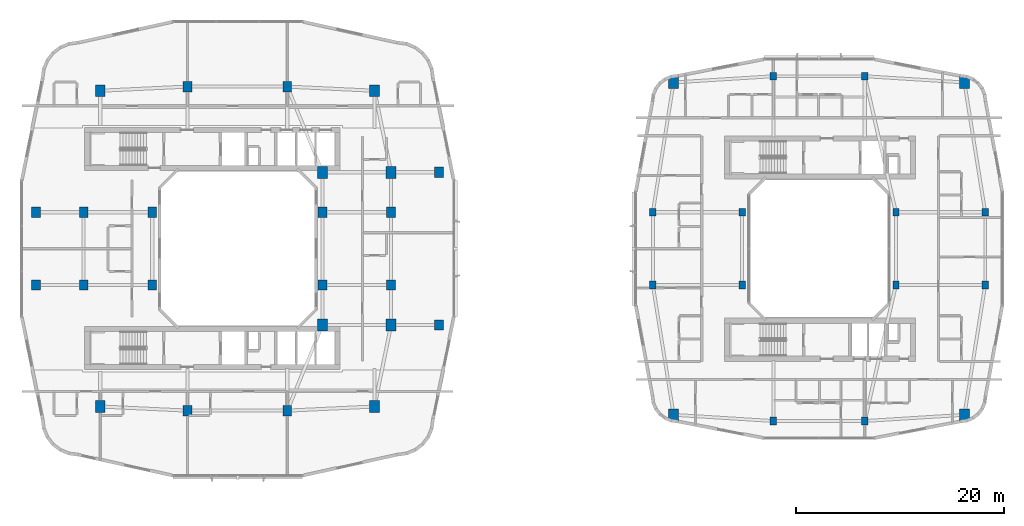
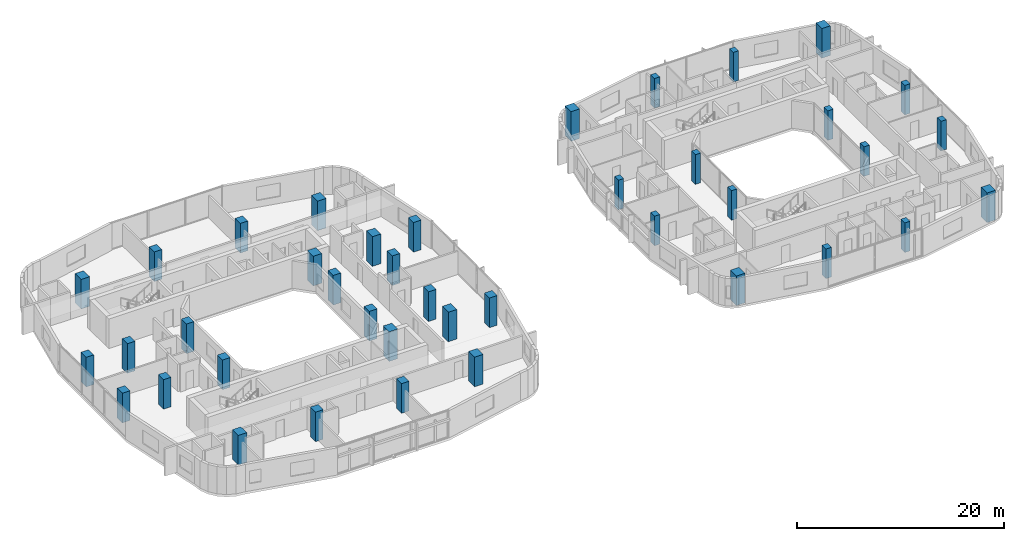
# One storey, part 1 of 25: 40 columns.
"""IFC4 building model written with IfcOpenShell, lengths in metres."""

from ifc_helpers import new_model, si_unit, derived_unit, direction, frame, origin, origin_2d, place, context, subcontext, project, spatial, rectangle, extrude, material, material_profile, profile_set, type_object, element, save


model = new_model("IFC4")

# Units and contexts
model_context = context("Model", 3, precision=1e-05, world=origin(), true_north=direction((0.0, 1.0)))
body_context = subcontext(model_context, "Body", "Model", "MODEL_VIEW")
ifc_project = project(units=[si_unit("LENGTHUNIT", "METRE"), si_unit("AREAUNIT", "SQUARE_METRE"), si_unit("VOLUMEUNIT", "CUBIC_METRE"), si_unit("PLANEANGLEUNIT", "RADIAN"), si_unit("MASSUNIT", "GRAM", prefix="KILO"), derived_unit("THERMALTRANSMITTANCEUNIT", [(si_unit("POWERUNIT", "WATT"), 1), (si_unit("LENGTHUNIT", "METRE"), -2), (si_unit("THERMODYNAMICTEMPERATUREUNIT", "KELVIN"), -1)])], contexts=[model_context])

# Site, building, storey
site_placement = place(None, origin())
site = spatial("IfcSite", under=ifc_project, at=site_placement, CompositionType="ELEMENT")
building_placement = place(site_placement, origin())
building = spatial("IfcBuilding", under=site, at=building_placement, Name="Kivonza Crest Hotel", CompositionType="ELEMENT")
storey_placement = place(building_placement, frame((0.0, 0.0, 83.5)))
storey = spatial("IfcBuildingStorey", under=building, at=storey_placement, Name="L22", CompositionType="ELEMENT", Elevation=83.5)

# Columns
ifc_material_1 = material(Name="Concrete C50/60", Category="concrete")
ifc_material_profile_1 = material_profile(ifc_material_1, rectangle(XDim=0.85009765625, YDim=1.0, at=origin_2d()), Name="RC 1000x850")
ifc_profile_set_1 = profile_set([ifc_material_profile_1], Name="Concrete C50/60")
column_type_1 = type_object("IfcColumnType", Name="CL-RC-1000x850", PredefinedType="COLUMN", material=ifc_profile_set_1)
for number, where, z_axis, x_axis, name in (
    (1, (16.199951171875, 9.39990234375, 0.0), (0.0, 0.0, 1.0), (1.0, 0.0, 0.0), "Tower T1 L22 column S1"),
    (2, (25.800048828125, 9.39990234375, 0.0), (0.0, 0.0, 1.0), (1.0, 0.0, 0.0), "Tower T1 L22 column S2"),
    (3, (16.199951171875, 40.60009765625, 0.0), (0.0, 0.0, 1.0), (1.0, 0.0, 0.0), "Tower T1 L22 column N1"),
    (4, (25.800048828125, 40.60009765625, 0.0), (0.0, 0.0, 1.0), (1.0, 0.0, 0.0), "Tower T1 L22 column N2"),
    (5, (6.199951171875, 21.5, 0.0), (0.0, 0.0, 1.0), (1.0, 0.0, 0.0), "Tower T1 L22 column W1"),
    (6, (6.199951171875, 28.5, 0.0), (0.0, 0.0, 1.0), (1.0, 0.0, 0.0), "Tower T1 L22 column W2"),
    (7, (35.800048828125, 21.5, 0.0), (0.0, 0.0, 1.0), (1.0, 0.0, 0.0), "Tower T1 L22 column E1"),
    (8, (35.800048828125, 28.5, 0.0), (0.0, 0.0, 1.0), (1.0, 0.0, 0.0), "Tower T1 L22 column E2"),
    (9, (12.800048828125, 21.5, 0.0), (0.0, 0.0, 1.0), (1.0, 0.0, 0.0), "Tower T1 L22 column WL1"),
    (10, (12.800048828125, 28.5, 0.0), (0.0, 0.0, 1.0), (1.0, 0.0, 0.0), "Tower T1 L22 column WL2"),
    (11, (29.199951171875, 21.5, 0.0), (0.0, 0.0, 1.0), (1.0, 0.0, 0.0), "Tower T1 L22 column WR1"),
    (12, (29.199951171875, 28.5, 0.0), (0.0, 0.0, 1.0), (1.0, 0.0, 0.0), "Tower T1 L22 column WR2"),
    (13, (1.60009765625, 21.5, 0.0), (0.0, 0.0, 1.0), (1.0, 0.0, 0.0), "Tower T1 L22 column Z1W1"),
    (14, (1.60009765625, 28.5, 0.0), (0.0, 0.0, 1.0), (1.0, 0.0, 0.0), "Tower T1 L22 column Z1W2"),
    (15, (40.39990234375, 17.64990234375, 0.0), (0.0, 0.0, 1.0), (1.0, 0.0, 0.0), "Tower T1 L22 column Z1E1"),
    (16, (40.39990234375, 32.35009765625, 0.0), (0.0, 0.0, 1.0), (1.0, 0.0, 0.0), "Tower T1 L22 column Z1E2"),
):
    element("IfcColumn", number, at=place(storey_placement, frame(where, z_axis=z_axis, x_axis=x_axis)), inside=storey, type_object=column_type_1, Name=name, PredefinedType="COLUMN", context=body_context, shape_type="SweptSolid", body=[
        extrude(rectangle(XDim=0.85009765625, YDim=1.0, at=origin_2d()), origin(), (0.0, 0.0, 1.0), 3.5),
    ])
ifc_material_2 = material(Name="Concrete C60/75", Category="concrete")
ifc_material_profile_2 = material_profile(ifc_material_2, rectangle(XDim=0.949951171875, YDim=1.14990234375, at=origin_2d()), Name="RC 1150x950")
ifc_profile_set_2 = profile_set([ifc_material_profile_2], Name="Concrete C60/75")
column_type_2 = type_object("IfcColumnType", Name="CL-RC-1150x950", PredefinedType="COLUMN", material=ifc_profile_set_2)
for number, where, z_axis, x_axis, name in (
    (17, (7.800048828125, 9.800048828125, 0.0), (0.0, 0.0, 1.0), (1.0, 0.0, 0.0), "Tower T1 L22 column SW"),
    (18, (34.199951171875, 9.800048828125, 0.0), (0.0, 0.0, 1.0), (1.0, 0.0, 0.0), "Tower T1 L22 column SE"),
    (19, (34.199951171875, 40.199951171875, 0.0), (0.0, 0.0, 1.0), (1.0, 0.0, 0.0), "Tower T1 L22 column NE"),
    (20, (7.800048828125, 40.199951171875, 0.0), (0.0, 0.0, 1.0), (1.0, 0.0, 0.0), "Tower T1 L22 column NW"),
    (21, (35.800048828125, 17.64990234375, 0.0), (0.0, 0.0, 1.0), (1.0, 0.0, 0.0), "Tower T1 L22 column PSE"),
    (22, (35.800048828125, 32.35009765625, 0.0), (0.0, 0.0, 1.0), (1.0, 0.0, 0.0), "Tower T1 L22 column PNE"),
    (23, (29.199951171875, 17.64990234375, 0.0), (0.0, 0.0, 1.0), (1.0, 0.0, 0.0), "Tower T1 L22 column TSE"),
    (24, (29.199951171875, 32.35009765625, 0.0), (0.0, 0.0, 1.0), (1.0, 0.0, 0.0), "Tower T1 L22 column TNE"),
    (25, (63.0, 9.0, 0.0), (0.0, 0.0, 1.0), (1.0, 0.0, 0.0), "Companion Tower T2 L22 column SW"),
    (26, (91.0, 9.0, 0.0), (0.0, 0.0, 1.0), (1.0, 0.0, 0.0), "Companion Tower T2 L22 column SE"),
    (27, (91.0, 41.0, 0.0), (0.0, 0.0, 1.0), (1.0, 0.0, 0.0), "Companion Tower T2 L22 column NE"),
    (28, (63.0, 41.0, 0.0), (0.0, 0.0, 1.0), (1.0, 0.0, 0.0), "Companion Tower T2 L22 column NW"),
):
    element("IfcColumn", number, at=place(storey_placement, frame(where, z_axis=z_axis, x_axis=x_axis)), inside=storey, type_object=column_type_2, Name=name, PredefinedType="COLUMN", context=body_context, shape_type="SweptSolid", body=[
        extrude(rectangle(XDim=0.949951171875, YDim=1.14990234375, at=origin_2d()), origin(), (0.0, 0.0, 1.0), 3.5),
    ])
ifc_material_profile_3 = material_profile(ifc_material_1, rectangle(XDim=0.60009765625, YDim=0.75, at=origin_2d()), Name="RC 750x600")
ifc_profile_set_3 = profile_set([ifc_material_profile_3], Name="Concrete C50/60")
column_type_3 = type_object("IfcColumnType", Name="CL-RC-750x600", PredefinedType="COLUMN", material=ifc_profile_set_3)
for number, where, z_axis, x_axis, name in (
    (29, (72.60009765625, 8.39990234375, 0.0), (0.0, 0.0, 1.0), (1.0, 0.0, 0.0), "Companion Tower T2 L22 column S1"),
    (30, (81.39990234375, 8.39990234375, 0.0), (0.0, 0.0, 1.0), (1.0, 0.0, 0.0), "Companion Tower T2 L22 column S2"),
    (31, (72.60009765625, 41.60009765625, 0.0), (0.0, 0.0, 1.0), (1.0, 0.0, 0.0), "Companion Tower T2 L22 column N1"),
    (32, (81.39990234375, 41.60009765625, 0.0), (0.0, 0.0, 1.0), (1.0, 0.0, 0.0), "Companion Tower T2 L22 column N2"),
    (33, (61.0, 21.5, 0.0), (0.0, 0.0, 1.0), (1.0, 0.0, 0.0), "Companion Tower T2 L22 column W1"),
    (34, (61.0, 28.5, 0.0), (0.0, 0.0, 1.0), (1.0, 0.0, 0.0), "Companion Tower T2 L22 column W2"),
    (35, (93.0, 21.5, 0.0), (0.0, 0.0, 1.0), (1.0, 0.0, 0.0), "Companion Tower T2 L22 column E1"),
    (36, (93.0, 28.5, 0.0), (0.0, 0.0, 1.0), (1.0, 0.0, 0.0), "Companion Tower T2 L22 column E2"),
    (37, (69.60009765625, 21.5, 0.0), (0.0, 0.0, 1.0), (1.0, 0.0, 0.0), "Companion Tower T2 L22 column WL1"),
    (38, (69.60009765625, 28.5, 0.0), (0.0, 0.0, 1.0), (1.0, 0.0, 0.0), "Companion Tower T2 L22 column WL2"),
    (39, (84.39990234375, 21.5, 0.0), (0.0, 0.0, 1.0), (1.0, 0.0, 0.0), "Companion Tower T2 L22 column WR1"),
    (40, (84.39990234375, 28.5, 0.0), (0.0, 0.0, 1.0), (1.0, 0.0, 0.0), "Companion Tower T2 L22 column WR2"),
):
    element("IfcColumn", number, at=place(storey_placement, frame(where, z_axis=z_axis, x_axis=x_axis)), inside=storey, type_object=column_type_3, Name=name, PredefinedType="COLUMN", context=body_context, shape_type="SweptSolid", body=[
        extrude(rectangle(XDim=0.60009765625, YDim=0.75, at=origin_2d()), origin(), (0.0, 0.0, 1.0), 3.5),
    ])

save(model, "model.ifc")
